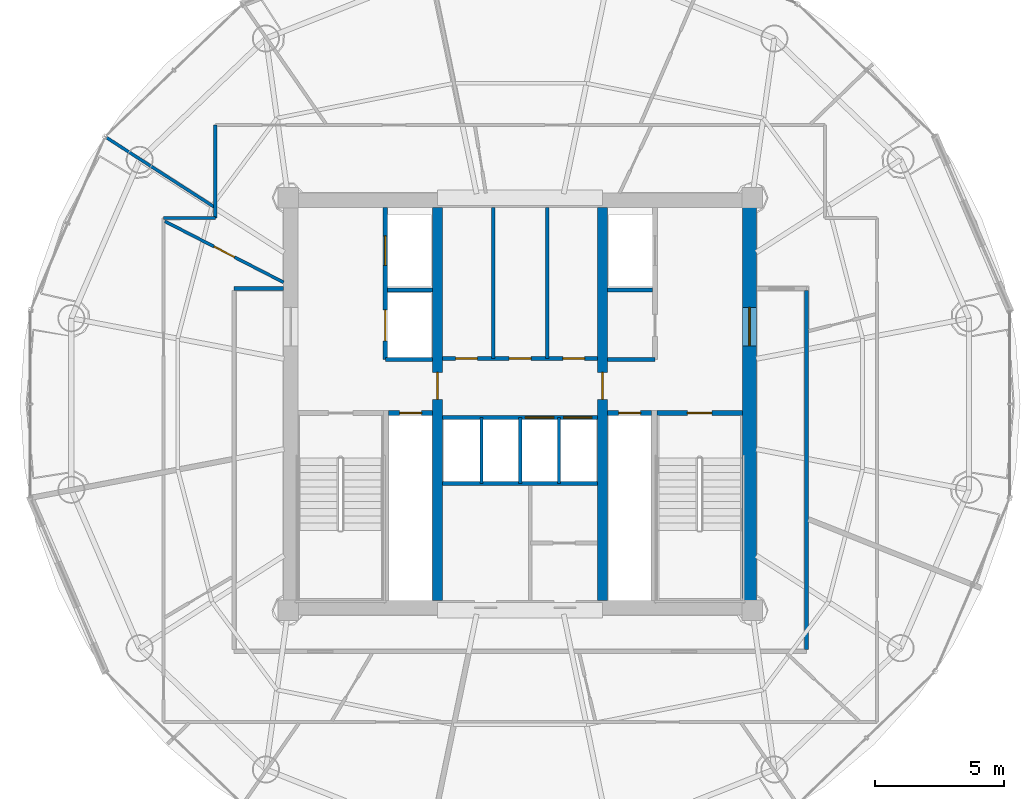
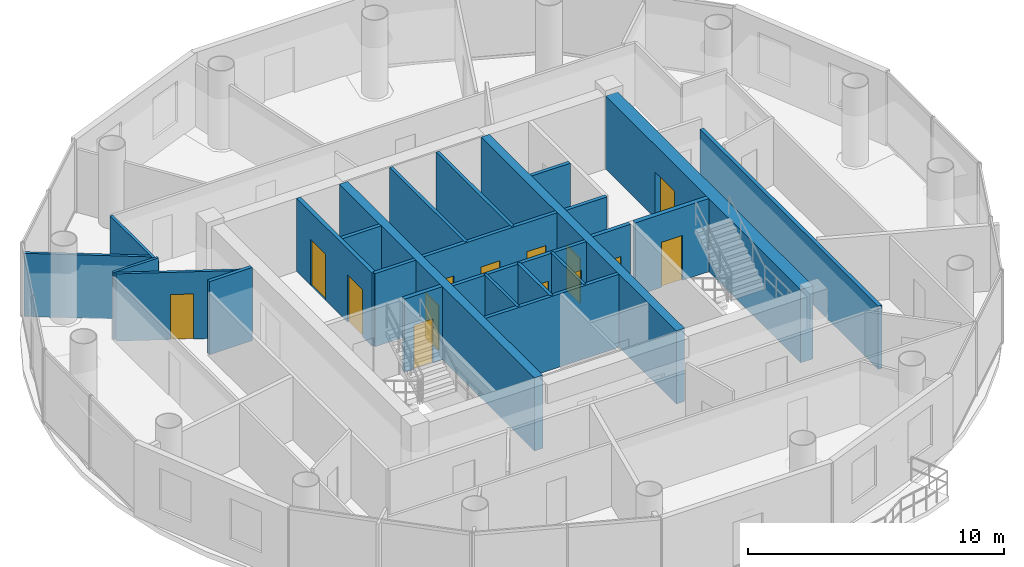
# One storey, part 18 of 23: 25 walls, 14 doors, 14 openings.
"""IFC4 building model written with IfcOpenShell, lengths in metres."""

from ifc_helpers import new_model, si_unit, direction, frame, frame_2d, origin, place, context, subcontext, project, spatial, rectangle, extrude, source, transform, mapped, material, layer, layer_set, type_object, element, fill, save


model = new_model("IFC4")

# Units and contexts
model_context = context("Model", 3, precision=1e-05, world=origin(), true_north=direction((-0.2419218956, 0.970295726276)))
body_context = subcontext(model_context, "Body", "Model", "MODEL_VIEW")
ifc_project = project(units=[si_unit("LENGTHUNIT", "METRE"), si_unit("AREAUNIT", "SQUARE_METRE"), si_unit("VOLUMEUNIT", "CUBIC_METRE"), si_unit("PLANEANGLEUNIT", "RADIAN"), si_unit("MASSUNIT", "GRAM", prefix="KILO")], contexts=[model_context])

# Site, building, storey
site_placement = place(None, origin())
site = spatial("IfcSite", under=ifc_project, at=site_placement, CompositionType="ELEMENT")
building_placement = place(site_placement, origin())
building = spatial("IfcBuilding", under=site, at=building_placement, Name="Cobrevalo Terracotta Tower", CompositionType="ELEMENT")
storey_placement = place(building_placement, frame((0.0, 0.0, 248.199951171875)))
storey = spatial("IfcBuildingStorey", under=building, at=storey_placement, Name="L65", CompositionType="ELEMENT", Elevation=248.199951171875)

# Wall, opening, door
ifc_material_1 = material(Name="Concrete C50", Category="concrete")
ifc_layer_1 = layer(ifc_material_1, 0.550048828125)
ifc_layer_set_1 = layer_set([ifc_layer_1], Name="Concrete C50")
wall_type_1 = type_object("IfcWallType", Name="Core shear wall 550 mm Concrete C50", PredefinedType="SHEAR", material=ifc_layer_set_1)
wall_1_placement = place(storey_placement, frame((46.89990234375, 19.175048828125, 0.0), z_axis=(0.0, 0.0, 1.0), x_axis=(0.0, 1.0, 0.0)))
wall_1 = element("IfcWall", 1, at=wall_1_placement, inside=storey, type_object=wall_type_1, Name="L65 east core shear wall", PredefinedType="SHEAR", context=body_context, shape_type="SweptSolid", body=[
    extrude(rectangle(XDim=15.25, YDim=0.550048828125, at=frame_2d((7.625, 0.0))), origin(), (0.0, 0.0, 1.0), 3.489990234375),
])
opening_1_placement = place(wall_1_placement, frame((9.875, 0.0, 0.0)))
opening_1 = element("IfcOpeningElement", 2, at=opening_1_placement, cuts=wall_1, Name="Opening ID-14", PredefinedType="OPENING", context=body_context, shape_type="SweptSolid", body=[
    extrude(rectangle(XDim=1.5, YDim=2.199951171875, at=frame_2d((0.75, 1.10009765625))), frame((0.0, 0.28515625, 0.0), z_axis=(0.0, -1.0, 0.0), x_axis=(1.0, 0.0, 0.0)), (0.0, 0.0, 1.0), 0.570068359375),
])
ifc_material_2 = material(Name="Galvanized fire-rated steel", Category="steel")
door_type_1 = type_object("IfcDoorType", Name="Core cross-lobby double fire door 1500x2200 EI 90", OperationType="NOTDEFINED", PredefinedType="DOOR", material=ifc_material_2)
shared_shape_1 = source(origin(), body_context, "Body", "SweptSolid", [
    extrude(rectangle(XDim=1.5, YDim=2.199951171875, at=frame_2d((0.75, 1.10009765625))), frame((0.0, 0.02490234375, 0.0), z_axis=(0.0, -1.0, 0.0), x_axis=(1.0, 0.0, 0.0)), (0.0, 0.0, 1.0), 0.050048828125),
])
door_1_placement = place(opening_1_placement, frame((1.5, 0.0, 0.0), z_axis=(0.0, 0.0, 1.0), x_axis=(-1.0, 0.0, 0.0)))
door_1 = element("IfcDoor", 3, at=door_1_placement, inside=storey, type_object=door_type_1, Name="L65 east firefighting lobby entrance door", OperationType="DOUBLE_DOOR_SINGLE_SWING", OverallHeight=2.199951171875, OverallWidth=1.5, PredefinedType="DOOR", context=body_context, shape_type="MappedRepresentation", body=[
    mapped(shared_shape_1, transform((0.0, 0.0, 0.0), scale=1.0)),
])
fill(opening_1, door_1)

# Walls
ifc_material_3 = material(Name="Gypsum board on steel stud", Category="steel")
ifc_layer_2 = layer(ifc_material_3, 0.159912109375)
ifc_layer_set_2 = layer_set([ifc_layer_2], Name="Gypsum board on steel stud")
wall_type_2 = type_object("IfcWallType", Name="Fire-rated corridor acoustic partition wall 160 mm", PredefinedType="PARTITIONING", material=ifc_layer_set_2)
wall_2_placement = place(storey_placement, frame((32.860107421875, 31.219970703125, 0.0), z_axis=(0.0, 0.0, 1.0), x_axis=(1.0, 0.0, 0.0)))
element("IfcWall", 4, at=wall_2_placement, inside=storey, type_object=wall_type_2, Name="L65 interior partition IW-L65-FF1-M", PredefinedType="PARTITIONING", context=body_context, shape_type="SweptSolid", body=[
    extrude(rectangle(XDim=1.75, YDim=0.159912109375, at=frame_2d((0.875, 0.0))), origin(), (0.0, 0.0, 1.0), 3.489990234375),
])
wall_3_placement = place(storey_placement, frame((32.77001953125, 28.52001953125, 0.0), z_axis=(0.0, 0.0, 1.0), x_axis=(1.0, 0.0, 0.0)))
element("IfcWall", 5, at=wall_3_placement, inside=storey, type_object=wall_type_2, Name="L65 interior partition IW-L65-FF1-S", PredefinedType="PARTITIONING", context=body_context, shape_type="SweptSolid", body=[
    extrude(rectangle(XDim=1.840087890625, YDim=0.159912109375, at=frame_2d((0.919921875, 0.0))), origin(), (0.0, 0.0, 1.0), 3.489990234375),
])
wall_4_placement = place(storey_placement, frame((41.389892578125, 31.219970703125, 0.0), z_axis=(0.0, 0.0, 1.0), x_axis=(1.0, 0.0, 0.0)))
element("IfcWall", 6, at=wall_4_placement, inside=storey, type_object=wall_type_2, Name="L65 interior partition IW-L65-FF2-M", PredefinedType="PARTITIONING", context=body_context, shape_type="SweptSolid", body=[
    extrude(rectangle(XDim=1.75, YDim=0.159912109375, at=frame_2d((0.875, 0.0))), origin(), (0.0, 0.0, 1.0), 3.489990234375),
])
wall_5_placement = place(storey_placement, frame((41.389892578125, 28.52001953125, 0.0), z_axis=(0.0, 0.0, 1.0), x_axis=(1.0, 0.0, 0.0)))
element("IfcWall", 7, at=wall_5_placement, inside=storey, type_object=wall_type_2, Name="L65 interior partition IW-L65-FF2-S", PredefinedType="PARTITIONING", context=body_context, shape_type="SweptSolid", body=[
    extrude(rectangle(XDim=1.840087890625, YDim=0.159912109375, at=frame_2d((0.919921875, 0.0))), origin(), (0.0, 0.0, 1.0), 3.489990234375),
])

# Wall, openings, doors
wall_6_placement = place(storey_placement, frame((34.989990234375, 28.56005859375, 0.0), z_axis=(0.0, 0.0, 1.0), x_axis=(1.0, 0.0, 0.0)))
wall_6 = element("IfcWall", 8, at=wall_6_placement, inside=storey, type_object=wall_type_2, Name="L65 interior partition IW-L65-LB-S", PredefinedType="PARTITIONING", context=body_context, shape_type="SweptSolid", body=[
    extrude(rectangle(XDim=6.02001953125, YDim=0.159912109375, at=frame_2d((3.010009765625, 0.0))), origin(), (0.0, 0.0, 1.0), 3.489990234375),
])
opening_2_placement = place(wall_6_placement, frame((0.5048828125, 0.0, 0.0)))
opening_2 = element("IfcOpeningElement", 9, at=opening_2_placement, cuts=wall_6, Name="Opening ID-22", PredefinedType="OPENING", context=body_context, shape_type="SweptSolid", body=[
    extrude(rectangle(XDim=0.85009765625, YDim=2.10009765625, at=frame_2d((0.425048828125, 1.050048828125))), frame((0.0, 0.08984375, 0.0), z_axis=(0.0, -1.0, 0.0), x_axis=(1.0, 0.0, 0.0)), (0.0, 0.0, 1.0), 0.179931640625),
])
opening_3_placement = place(wall_6_placement, frame((2.580078125, 0.0, 0.0)))
opening_3 = element("IfcOpeningElement", 10, at=opening_3_placement, cuts=wall_6, Name="Opening ID-07", PredefinedType="OPENING", context=body_context, shape_type="SweptSolid", body=[
    extrude(rectangle(XDim=0.860107421875, YDim=2.10009765625, at=frame_2d((0.43017578125, 1.050048828125))), frame((0.0, 0.08984375, 0.0), z_axis=(0.0, -1.0, 0.0), x_axis=(1.0, 0.0, 0.0)), (0.0, 0.0, 1.0), 0.179931640625),
])
opening_4_placement = place(wall_6_placement, frame((4.6650390625, 0.0, 0.0)))
opening_4 = element("IfcOpeningElement", 11, at=opening_4_placement, cuts=wall_6, Name="Opening ID-22", PredefinedType="OPENING", context=body_context, shape_type="SweptSolid", body=[
    extrude(rectangle(XDim=0.85009765625, YDim=2.10009765625, at=frame_2d((0.425048828125, 1.050048828125))), frame((0.0, 0.08984375, 0.0), z_axis=(0.0, -1.0, 0.0), x_axis=(1.0, 0.0, 0.0)), (0.0, 0.0, 1.0), 0.179931640625),
])
ifc_material_4 = material(Name="Powder-coated steel", Category="steel")
door_type_2 = type_object("IfcDoorType", Name="Riser shaft & meter closet fire access door 850x2100 EI 60", OperationType="NOTDEFINED", PredefinedType="DOOR", material=ifc_material_4)
shared_shape_2 = source(origin(), body_context, "Body", "SweptSolid", [
    extrude(rectangle(XDim=0.85009765625, YDim=2.10009765625, at=frame_2d((0.425048828125, 1.050048828125))), frame((0.0, 0.02490234375, 0.0), z_axis=(0.0, -1.0, 0.0), x_axis=(1.0, 0.0, 0.0)), (0.0, 0.0, 1.0), 0.050048828125),
])
door_2_placement = place(opening_2_placement, origin())
door_2 = element("IfcDoor", 12, at=door_2_placement, inside=storey, type_object=door_type_2, Name="L65 core service door Housekeeping Linen Store", OperationType="SINGLE_SWING_LEFT", OverallHeight=2.10009765625, OverallWidth=0.85009765625, PredefinedType="DOOR", context=body_context, shape_type="MappedRepresentation", body=[
    mapped(shared_shape_2, transform((0.0, 0.0, 0.0), scale=1.0)),
])
fill(opening_2, door_2)
door_3_placement = place(opening_4_placement, origin())
door_3 = element("IfcDoor", 13, at=door_3_placement, inside=storey, type_object=door_type_2, Name="L65 core service door Floor BMS Mechanical Plant", OperationType="SINGLE_SWING_LEFT", OverallHeight=2.10009765625, OverallWidth=0.85009765625, PredefinedType="DOOR", context=body_context, shape_type="MappedRepresentation", body=[
    mapped(shared_shape_2, transform((0.0, 0.0, 0.0), scale=1.0)),
])
fill(opening_4, door_3)
ifc_material_5 = material(Name="Fire-rated moisture-sealed timber", Category="wood")
door_type_3 = type_object("IfcDoorType", Name="Core & podium fire-rated accessible WC door 860x2100 EI 60", OperationType="NOTDEFINED", PredefinedType="DOOR", material=ifc_material_5)
shared_shape_3 = source(origin(), body_context, "Body", "SweptSolid", [
    extrude(rectangle(XDim=0.860107421875, YDim=2.10009765625, at=frame_2d((0.43017578125, 1.050048828125))), frame((0.0, 0.02490234375, 0.0), z_axis=(0.0, -1.0, 0.0), x_axis=(1.0, 0.0, 0.0)), (0.0, 0.0, 1.0), 0.050048828125),
])
door_4_placement = place(opening_3_placement, origin())
door_4 = element("IfcDoor", 14, at=door_4_placement, inside=storey, type_object=door_type_3, Name="L65 core service door Floor Service Toilet WC", OperationType="SINGLE_SWING_RIGHT", OverallHeight=2.10009765625, OverallWidth=0.860107421875, PredefinedType="DOOR", context=body_context, shape_type="MappedRepresentation", body=[
    mapped(shared_shape_3, transform((0.0, 0.0, 0.0), scale=1.0)),
])
fill(opening_3, door_4)

wall_7_placement = place(storey_placement, frame((34.989990234375, 26.280029296875, 0.0), z_axis=(0.0, 0.0, 1.0), x_axis=(1.0, 0.0, 0.0)))
wall_7 = element("IfcWall", 15, at=wall_7_placement, inside=storey, type_object=wall_type_2, Name="L65 interior partition IW-L65-MB-N", PredefinedType="PARTITIONING", context=body_context, shape_type="SweptSolid", body=[
    extrude(rectangle(XDim=6.02001953125, YDim=0.159912109375, at=frame_2d((3.010009765625, 0.0))), origin(), (0.0, 0.0, 1.0), 3.489990234375),
])
opening_5_placement = place(wall_7_placement, frame((3.215087890625, 0.0, 0.0)))
opening_5 = element("IfcOpeningElement", 16, at=opening_5_placement, cuts=wall_7, Name="Opening LD-01", PredefinedType="OPENING", context=body_context, shape_type="SweptSolid", body=[
    extrude(rectangle(XDim=1.10009765625, YDim=2.199951171875, at=frame_2d((0.550048828125, 1.10009765625))), frame((0.0, 0.08984375, 0.0), z_axis=(0.0, -1.0, 0.0), x_axis=(1.0, 0.0, 0.0)), (0.0, 0.0, 1.0), 0.179931640625),
])
opening_6_placement = place(wall_7_placement, frame((4.695068359375, 0.0, 0.0)))
opening_6 = element("IfcOpeningElement", 17, at=opening_6_placement, cuts=wall_7, Name="Opening LD-01", PredefinedType="OPENING", context=body_context, shape_type="SweptSolid", body=[
    extrude(rectangle(XDim=1.10009765625, YDim=2.199951171875, at=frame_2d((0.550048828125, 1.10009765625))), frame((0.0, 0.08984375, 0.0), z_axis=(0.0, -1.0, 0.0), x_axis=(1.0, 0.0, 0.0)), (0.0, 0.0, 1.0), 0.179931640625),
])
ifc_material_6 = material(Name="Brushed stainless steel", Category="steel")
door_type_4 = type_object("IfcDoorType", Name="Passenger lift landing bi-parting sliding door 1100x2200 EI 90", OperationType="DOUBLE_DOOR_SLIDING", PredefinedType="DOOR", material=ifc_material_6)
shared_shape_4 = source(origin(), body_context, "Body", "SweptSolid", [
    extrude(rectangle(XDim=1.10009765625, YDim=2.199951171875, at=frame_2d((0.550048828125, 1.10009765625))), frame((0.0, 0.02490234375, 0.0), z_axis=(0.0, -1.0, 0.0), x_axis=(1.0, 0.0, 0.0)), (0.0, 0.0, 1.0), 0.050048828125),
])
door_5_placement = place(opening_5_placement, origin())
door_5 = element("IfcDoor", 18, at=door_5_placement, inside=storey, type_object=door_type_4, Name="L65 lift landing door PL-H1", OperationType="DOUBLE_DOOR_SLIDING", OverallHeight=2.199951171875, OverallWidth=1.10009765625, PredefinedType="DOOR", context=body_context, shape_type="MappedRepresentation", body=[
    mapped(shared_shape_4, transform((0.0, 0.0, 0.0), scale=1.0)),
])
fill(opening_5, door_5)
door_6_placement = place(opening_6_placement, origin())
door_6 = element("IfcDoor", 19, at=door_6_placement, inside=storey, type_object=door_type_4, Name="L65 lift landing door PL-H2", OperationType="DOUBLE_DOOR_SLIDING", OverallHeight=2.199951171875, OverallWidth=1.10009765625, PredefinedType="DOOR", context=body_context, shape_type="MappedRepresentation", body=[
    mapped(shared_shape_4, transform((0.0, 0.0, 0.0), scale=1.0)),
])
fill(opening_6, door_6)

# Walls
wall_8_placement = place(storey_placement, frame((34.989990234375, 23.719970703125, 0.0), z_axis=(0.0, 0.0, 1.0), x_axis=(1.0, 0.0, 0.0)))
element("IfcWall", 20, at=wall_8_placement, inside=storey, type_object=wall_type_2, Name="L65 interior partition IW-L65-MB-S", PredefinedType="PARTITIONING", context=body_context, shape_type="SweptSolid", body=[
    extrude(rectangle(XDim=6.02001953125, YDim=0.159912109375, at=frame_2d((3.010009765625, 0.0))), origin(), (0.0, 0.0, 1.0), 3.489990234375),
])
wall_9_placement = place(storey_placement, frame((26.89501953125, 31.280029296875, 0.0), z_axis=(0.0, 0.0, 1.0), x_axis=(1.0, 0.0, 0.0)))
element("IfcWall", 21, at=wall_9_placement, inside=storey, type_object=wall_type_2, Name="L65 interior partition IW-L65-COR-WN-CAP", PredefinedType="PARTITIONING", context=body_context, shape_type="SweptSolid", body=[
    extrude(rectangle(XDim=1.929931640625, YDim=0.159912109375, at=frame_2d((0.96484375, 0.0))), origin(), (0.0, 0.0, 1.0), 3.489990234375),
])
wall_10_placement = place(storey_placement, frame((49.10498046875, 17.27490234375, 0.0), z_axis=(0.0, 0.0, 1.0), x_axis=(0.0, 1.0, 0.0)))
element("IfcWall", 22, at=wall_10_placement, inside=storey, type_object=wall_type_2, Name="L65 interior partition IW-L65-COR-E", PredefinedType="PARTITIONING", context=body_context, shape_type="SweptSolid", body=[
    extrude(rectangle(XDim=13.925048828125, YDim=0.159912109375, at=frame_2d((6.96240234375, 0.0))), origin(), (0.0, 0.0, 1.0), 3.01513671875),
])

# Wall, opening, door
ifc_layer_3 = layer(ifc_material_3, 0.179931640625)
ifc_layer_set_3 = layer_set([ifc_layer_3], Name="Gypsum board on steel stud")
wall_type_3 = type_object("IfcWallType", Name="Fire-rated shaft & lobby acoustic partition wall 180 mm", PredefinedType="PARTITIONING", material=ifc_layer_set_3)
wall_11_placement = place(storey_placement, frame((32.89990234375, 26.449951171875, 0.0), z_axis=(0.0, 0.0, 1.0), x_axis=(1.0, 0.0, 0.0)))
wall_11 = element("IfcWall", 23, at=wall_11_placement, inside=storey, type_object=wall_type_3, Name="L65 interior partition IW-L65-RSW-N", PredefinedType="PARTITIONING", context=body_context, shape_type="SweptSolid", body=[
    extrude(rectangle(XDim=1.710205078125, YDim=0.179931640625, at=frame_2d((0.85498046875, 0.0))), origin(), (0.0, 0.0, 1.0), 3.489990234375),
])
opening_7_placement = place(wall_11_placement, frame((0.429931640625, 0.0, 0.0)))
opening_7 = element("IfcOpeningElement", 24, at=opening_7_placement, cuts=wall_11, Name="Opening ID-22", PredefinedType="OPENING", context=body_context, shape_type="SweptSolid", body=[
    extrude(rectangle(XDim=0.85009765625, YDim=2.10009765625, at=frame_2d((0.425048828125, 1.050048828125))), frame((0.0, 0.10009765625, 0.0), z_axis=(0.0, -1.0, 0.0), x_axis=(1.0, 0.0, 0.0)), (0.0, 0.0, 1.0), 0.199951171875),
])
door_7_placement = place(opening_7_placement, origin())
door_7 = element("IfcDoor", 25, at=door_7_placement, inside=storey, type_object=door_type_2, Name="L65 riser access door RSW", OperationType="SINGLE_SWING_LEFT", OverallHeight=2.10009765625, OverallWidth=0.85009765625, PredefinedType="DOOR", context=body_context, shape_type="MappedRepresentation", body=[
    mapped(shared_shape_2, transform((0.0, 0.0, 0.0), scale=1.0)),
])
fill(opening_7, door_7)

wall_12_placement = place(storey_placement, frame((41.389892578125, 26.449951171875, 0.0), z_axis=(0.0, 0.0, 1.0), x_axis=(1.0, 0.0, 0.0)))
wall_12 = element("IfcWall", 26, at=wall_12_placement, inside=storey, type_object=wall_type_3, Name="L65 interior partition IW-L65-RSE-N", PredefinedType="PARTITIONING", context=body_context, shape_type="SweptSolid", body=[
    extrude(rectangle(XDim=1.710205078125, YDim=0.179931640625, at=frame_2d((0.85498046875, 0.0))), origin(), (0.0, 0.0, 1.0), 3.489990234375),
])
opening_8_placement = place(wall_12_placement, frame((0.429931640625, 0.0, 0.0)))
opening_8 = element("IfcOpeningElement", 27, at=opening_8_placement, cuts=wall_12, Name="Opening ID-22", PredefinedType="OPENING", context=body_context, shape_type="SweptSolid", body=[
    extrude(rectangle(XDim=0.85009765625, YDim=2.10009765625, at=frame_2d((0.425048828125, 1.050048828125))), frame((0.0, 0.10009765625, 0.0), z_axis=(0.0, -1.0, 0.0), x_axis=(1.0, 0.0, 0.0)), (0.0, 0.0, 1.0), 0.199951171875),
])
door_8_placement = place(opening_8_placement, origin())
door_8 = element("IfcDoor", 28, at=door_8_placement, inside=storey, type_object=door_type_2, Name="L65 riser access door RSE", OperationType="SINGLE_SWING_RIGHT", OverallHeight=2.10009765625, OverallWidth=0.85009765625, PredefinedType="DOOR", context=body_context, shape_type="MappedRepresentation", body=[
    mapped(shared_shape_2, transform((0.0, 0.0, 0.0), scale=1.0)),
])
fill(opening_8, door_8)

# Wall, openings, doors
wall_13_placement = place(storey_placement, frame((32.77001953125, 28.52001953125, 0.0), z_axis=(0.0, 0.0, 1.0), x_axis=(0.0, 1.0, 0.0)))
wall_13 = element("IfcWall", 29, at=wall_13_placement, inside=storey, type_object=wall_type_3, Name="L65 interior partition IW-L65-FF1-W", PredefinedType="PARTITIONING", context=body_context, shape_type="SweptSolid", body=[
    extrude(rectangle(XDim=5.905029296875, YDim=0.179931640625, at=frame_2d((2.95263671875, 0.0))), origin(), (0.0, 0.0, 1.0), 3.489990234375),
])
opening_9_placement = place(wall_13_placement, frame((3.655029296875, 0.0, 0.0)))
opening_9 = element("IfcOpeningElement", 30, at=opening_9_placement, cuts=wall_13, Name="Opening LD-02", PredefinedType="OPENING", context=body_context, shape_type="SweptSolid", body=[
    extrude(rectangle(XDim=1.14990234375, YDim=2.199951171875, at=frame_2d((0.574951171875, 1.10009765625))), frame((0.0, 0.10009765625, 0.0), z_axis=(0.0, -1.0, 0.0), x_axis=(1.0, 0.0, 0.0)), (0.0, 0.0, 1.0), 0.199951171875),
])
opening_10_placement = place(wall_13_placement, frame((0.72998046875, 0.0, 0.0)))
opening_10 = element("IfcOpeningElement", 31, at=opening_10_placement, cuts=wall_13, Name="Opening LD-03", PredefinedType="OPENING", context=body_context, shape_type="SweptSolid", body=[
    extrude(rectangle(XDim=1.199951171875, YDim=2.25, at=frame_2d((0.60009765625, 1.125))), frame((0.0, 0.10009765625, 0.0), z_axis=(0.0, -1.0, 0.0), x_axis=(1.0, 0.0, 0.0)), (0.0, 0.0, 1.0), 0.199951171875),
])
door_type_5 = type_object("IfcDoorType", Name="Firefighting lift landing bi-parting sliding door 1150x2200 EI 120", OperationType="DOUBLE_DOOR_SLIDING", PredefinedType="DOOR", material=ifc_material_6)
shared_shape_5 = source(origin(), body_context, "Body", "SweptSolid", [
    extrude(rectangle(XDim=1.14990234375, YDim=2.199951171875, at=frame_2d((0.574951171875, 1.10009765625))), frame((0.0, 0.02490234375, 0.0), z_axis=(0.0, -1.0, 0.0), x_axis=(1.0, 0.0, 0.0)), (0.0, 0.0, 1.0), 0.050048828125),
])
door_9_placement = place(opening_9_placement, origin())
door_9 = element("IfcDoor", 32, at=door_9_placement, inside=storey, type_object=door_type_5, Name="L65 lift landing door FF-1", OperationType="DOUBLE_DOOR_SLIDING", OverallHeight=2.199951171875, OverallWidth=1.14990234375, PredefinedType="DOOR", context=body_context, shape_type="MappedRepresentation", body=[
    mapped(shared_shape_5, transform((0.0, 0.0, 0.0), scale=1.0)),
])
fill(opening_9, door_9)
door_type_6 = type_object("IfcDoorType", Name="Service lift landing bi-parting sliding door 1200x2250 EI 120", OperationType="DOUBLE_DOOR_SLIDING", PredefinedType="DOOR", material=ifc_material_6)
shared_shape_6 = source(origin(), body_context, "Body", "SweptSolid", [
    extrude(rectangle(XDim=1.199951171875, YDim=2.25, at=frame_2d((0.60009765625, 1.125))), frame((0.0, 0.02490234375, 0.0), z_axis=(0.0, -1.0, 0.0), x_axis=(1.0, 0.0, 0.0)), (0.0, 0.0, 1.0), 0.050048828125),
])
door_10_placement = place(opening_10_placement, origin())
door_10 = element("IfcDoor", 33, at=door_10_placement, inside=storey, type_object=door_type_6, Name="L65 lift landing door SV-1", OperationType="DOUBLE_DOOR_SLIDING", OverallHeight=2.25, OverallWidth=1.199951171875, PredefinedType="DOOR", context=body_context, shape_type="MappedRepresentation", body=[
    mapped(shared_shape_6, transform((0.0, 0.0, 0.0), scale=1.0)),
])
fill(opening_10, door_10)

# Walls
ifc_material_7 = material(Name="Autoclaved aerated concrete block", Category="concrete")
ifc_layer_4 = layer(ifc_material_7, 0.1201171875)
ifc_layer_set_4 = layer_set([ifc_layer_4], Name="Autoclaved aerated concrete block")
wall_type_4 = type_object("IfcWallType", Name="Fire-rated wet-room & core service partition 120 mm", PredefinedType="PARTITIONING", material=ifc_layer_set_4)
for number, where, z_axis, x_axis, name in (
    (34, (36.5, 23.719970703125, 0.0), (0.0, 0.0, 1.0), (0.0, 1.0, 0.0), "L65 interior partition IW-L65-MB-D1"),
    (35, (39.5, 23.719970703125, 0.0), (0.0, 0.0, 1.0), (0.0, 1.0, 0.0), "L65 interior partition IW-L65-MB-D3"),
):
    element("IfcWall", number, at=place(storey_placement, frame(where, z_axis=z_axis, x_axis=x_axis)), inside=storey, type_object=wall_type_4, Name=name, PredefinedType="PARTITIONING", context=body_context, shape_type="SweptSolid", body=[
        extrude(rectangle(XDim=2.56005859375, YDim=0.1201171875, at=frame_2d((1.280029296875, 0.0))), origin(), (0.0, 0.0, 1.0), 3.489990234375),
    ])

# Wall, opening, door
ifc_layer_5 = layer(ifc_material_1, 0.3798828125)
ifc_layer_set_5 = layer_set([ifc_layer_5], Name="Concrete C50")
wall_type_5 = type_object("IfcWallType", Name="Internal core shear web wall 380 mm Concrete C50", PredefinedType="SHEAR", material=ifc_layer_set_5)
wall_14_placement = place(storey_placement, frame((34.800048828125, 19.175048828125, 0.0), z_axis=(0.0, 0.0, 1.0), x_axis=(0.0, 1.0, 0.0)))
wall_14 = element("IfcWall", 36, at=wall_14_placement, inside=storey, type_object=wall_type_5, Name="L65 internal core shear wall WEB-W", PredefinedType="SHEAR", context=body_context, shape_type="SweptSolid", body=[
    extrude(rectangle(XDim=15.25, YDim=0.3798828125, at=frame_2d((7.625, 0.0))), origin(), (0.0, 0.0, 1.0), 3.489990234375),
])
opening_11_placement = place(wall_14_placement, frame((7.800048828125, 0.0, 0.0)))
opening_11 = element("IfcOpeningElement", 37, at=opening_11_placement, cuts=wall_14, Name="Opening ID-11", PredefinedType="OPENING", context=body_context, shape_type="SweptSolid", body=[
    extrude(rectangle(XDim=1.050048828125, YDim=2.14990234375, at=frame_2d((0.52490234375, 1.074951171875))), frame((0.0, 0.199951171875, 0.0), z_axis=(0.0, -1.0, 0.0), x_axis=(1.0, 0.0, 0.0)), (0.0, 0.0, 1.0), 0.39990234375),
])
door_type_7 = type_object("IfcDoorType", Name="Core concourse cross fire door 1050x2150 EI 90", OperationType="NOTDEFINED", PredefinedType="DOOR", material=ifc_material_2)
shared_shape_7 = source(origin(), body_context, "Body", "SweptSolid", [
    extrude(rectangle(XDim=1.050048828125, YDim=2.14990234375, at=frame_2d((0.52490234375, 1.074951171875))), frame((0.0, 0.02490234375, 0.0), z_axis=(0.0, -1.0, 0.0), x_axis=(1.0, 0.0, 0.0)), (0.0, 0.0, 1.0), 0.050048828125),
])
door_11_placement = place(opening_11_placement, origin())
door_11 = element("IfcDoor", 38, at=door_11_placement, inside=storey, type_object=door_type_7, Name="L65 west core concourse cross door", OperationType="SINGLE_SWING_LEFT", OverallHeight=2.14990234375, OverallWidth=1.050048828125, PredefinedType="DOOR", context=body_context, shape_type="MappedRepresentation", body=[
    mapped(shared_shape_7, transform((0.0, 0.0, 0.0), scale=1.0)),
])
fill(opening_11, door_11)

wall_15_placement = place(storey_placement, frame((41.199951171875, 19.175048828125, 0.0), z_axis=(0.0, 0.0, 1.0), x_axis=(0.0, 1.0, 0.0)))
wall_15 = element("IfcWall", 39, at=wall_15_placement, inside=storey, type_object=wall_type_5, Name="L65 internal core shear wall WEB-E", PredefinedType="SHEAR", context=body_context, shape_type="SweptSolid", body=[
    extrude(rectangle(XDim=15.25, YDim=0.3798828125, at=frame_2d((7.625, 0.0))), origin(), (0.0, 0.0, 1.0), 3.489990234375),
])
opening_12_placement = place(wall_15_placement, frame((7.800048828125, 0.0, 0.0)))
opening_12 = element("IfcOpeningElement", 40, at=opening_12_placement, cuts=wall_15, Name="Opening ID-11", PredefinedType="OPENING", context=body_context, shape_type="SweptSolid", body=[
    extrude(rectangle(XDim=1.050048828125, YDim=2.14990234375, at=frame_2d((0.52490234375, 1.074951171875))), frame((0.0, 0.199951171875, 0.0), z_axis=(0.0, -1.0, 0.0), x_axis=(1.0, 0.0, 0.0)), (0.0, 0.0, 1.0), 0.39990234375),
])
door_12_placement = place(opening_12_placement, frame((1.050048828125, 0.0, 0.0), z_axis=(0.0, 0.0, 1.0), x_axis=(-1.0, 0.0, 0.0)))
door_12 = element("IfcDoor", 41, at=door_12_placement, inside=storey, type_object=door_type_7, Name="L65 east core concourse cross door", OperationType="SINGLE_SWING_RIGHT", OverallHeight=2.14990234375, OverallWidth=1.050048828125, PredefinedType="DOOR", context=body_context, shape_type="MappedRepresentation", body=[
    mapped(shared_shape_7, transform((0.0, 0.0, 0.0), scale=1.0)),
])
fill(opening_12, door_12)

# Walls
ifc_layer_6 = layer(ifc_material_7, 0.139892578125)
ifc_layer_set_6 = layer_set([ifc_layer_6], Name="Autoclaved aerated concrete block")
wall_type_6 = type_object("IfcWallType", Name="Moisture-resistant wet-room & core service partition 140 mm", PredefinedType="PARTITIONING", material=ifc_layer_set_6)
for number, where, z_axis, x_axis, name in (
    (42, (36.949951171875, 28.56005859375, 0.0), (0.0, 0.0, 1.0), (0.0, 1.0, 0.0), "L65 interior partition IW-L65-KVN-A"),
    (43, (39.050048828125, 28.56005859375, 0.0), (0.0, 0.0, 1.0), (0.0, 1.0, 0.0), "L65 interior partition IW-L65-KVN-B"),
):
    element("IfcWall", number, at=place(storey_placement, frame(where, z_axis=z_axis, x_axis=x_axis)), inside=storey, type_object=wall_type_6, Name=name, PredefinedType="PARTITIONING", context=body_context, shape_type="SweptSolid", body=[
        extrude(rectangle(XDim=5.864990234375, YDim=0.139892578125, at=frame_2d((2.9326171875, 0.0))), origin(), (0.0, 0.0, 1.0), 3.489990234375),
    ])
wall_16_placement = place(storey_placement, frame((38.0, 23.719970703125, 0.0), z_axis=(0.0, 0.0, 1.0), x_axis=(0.0, 1.0, 0.0)))
element("IfcWall", 44, at=wall_16_placement, inside=storey, type_object=wall_type_6, Name="L65 interior partition IW-L65-MB-D2", PredefinedType="PARTITIONING", context=body_context, shape_type="SweptSolid", body=[
    extrude(rectangle(XDim=2.56005859375, YDim=0.139892578125, at=frame_2d((1.280029296875, 0.0))), origin(), (0.0, 0.0, 1.0), 3.489990234375),
])
ifc_layer_7 = layer(ifc_material_3, 0.1201171875)
ifc_layer_set_7 = layer_set([ifc_layer_7], Name="Gypsum board on steel stud")
wall_type_7 = type_object("IfcWallType", Name="Residential internal acoustic stud partition 120 mm", PredefinedType="PARTITIONING", material=ifc_layer_set_7)
wall_17_placement = place(storey_placement, frame((24.1650390625, 34.010009765625, 0.0), z_axis=(0.0, 0.0, 1.0), x_axis=(1.0, 0.0, 0.0)))
element("IfcWall", 45, at=wall_17_placement, inside=storey, type_object=wall_type_7, Name="L65 interior partition IW-L65-U1-RING1_0", PredefinedType="PARTITIONING", context=body_context, shape_type="SweptSolid", body=[
    extrude(rectangle(XDim=2.010009765625, YDim=0.1201171875, at=frame_2d((1.0048828125, 0.0))), origin(), (0.0, 0.0, 1.0), 3.208984375),
])
wall_18_placement = place(storey_placement, frame((26.175048828125, 34.010009765625, 0.0), z_axis=(0.0, 0.0, 1.0), x_axis=(0.0, 1.0, 0.0)))
element("IfcWall", 46, at=wall_18_placement, inside=storey, type_object=wall_type_7, Name="L65 interior partition IW-L65-U1-RING2_0", PredefinedType="PARTITIONING", context=body_context, shape_type="SweptSolid", body=[
    extrude(rectangle(XDim=3.614990234375, YDim=0.1201171875, at=frame_2d((1.8076171875, 0.0))), origin(), (0.0, 0.0, 1.0), 3.01513671875),
])
wall_19_placement = place(storey_placement, frame((26.122802734375, 34.44970703125, 0.0), z_axis=(0.0, 0.0, 1.0), x_axis=(-0.840703033126, 0.541496454367, 0.0)))
element("IfcWall", 47, at=wall_19_placement, inside=storey, type_object=wall_type_7, Name="L65 interior partition IW-L65-U1-ORAD3", PredefinedType="PARTITIONING", context=body_context, shape_type="SweptSolid", body=[
    extrude(rectangle(XDim=4.95849609375, YDim=0.1201171875, at=frame_2d((2.479248046875, 0.0))), origin(), (0.0, 0.0, 1.0), 3.01513671875),
])

# Wall, opening, door
wall_20_placement = place(storey_placement, frame((28.824951171875, 31.518310546875, 0.0), z_axis=(0.0, 0.0, 1.0), x_axis=(-0.889305882583, 0.457312854842, 0.0)))
wall_20 = element("IfcWall", 48, at=wall_20_placement, inside=storey, type_object=wall_type_7, Name="L65 interior partition IW-L65-U1-IRAD4", PredefinedType="PARTITIONING", context=body_context, shape_type="SweptSolid", body=[
    extrude(rectangle(XDim=5.177978515625, YDim=0.1201171875, at=frame_2d((2.5888671875, 0.0))), origin(), (0.0, 0.0, 1.0), 3.208984375),
])
opening_13_placement = place(wall_20_placement, frame((2.138916015625, 0.0, 0.0)))
opening_13 = element("IfcOpeningElement", 49, at=opening_13_placement, cuts=wall_20, Name="Opening ID-12", PredefinedType="OPENING", context=body_context, shape_type="SweptSolid", body=[
    extrude(rectangle(XDim=0.89990234375, YDim=2.14990234375, at=frame_2d((0.449951171875, 1.074951171875))), frame((0.0, 0.070068359375, 0.0), z_axis=(0.0, -1.0, 0.0), x_axis=(1.0, 0.0, 0.0)), (0.0, 0.0, 1.0), 0.14013671875),
])
ifc_material_8 = material(Name="Engineered timber", Category="wood")
door_type_8 = type_object("IfcDoorType", Name="Internal residence & suite timber door 900x2150", OperationType="NOTDEFINED", PredefinedType="DOOR", material=ifc_material_8)
shared_shape_8 = source(origin(), body_context, "Body", "SweptSolid", [
    extrude(rectangle(XDim=0.89990234375, YDim=2.14990234375, at=frame_2d((0.449951171875, 1.074951171875))), frame((0.0, 0.02490234375, 0.0), z_axis=(0.0, -1.0, 0.0), x_axis=(1.0, 0.0, 0.0)), (0.0, 0.0, 1.0), 0.050048828125),
])
door_13_placement = place(opening_13_placement, origin())
door_13 = element("IfcDoor", 50, at=door_13_placement, inside=storey, type_object=door_type_8, Name="Flat L65A Private Cinema Lounge internal door", OperationType="SINGLE_SWING_LEFT", OverallHeight=2.14990234375, OverallWidth=0.89990234375, PredefinedType="DOOR", context=body_context, shape_type="MappedRepresentation", body=[
    mapped(shared_shape_8, transform((0.0, 0.0, 0.0), scale=1.0)),
])
fill(opening_13, door_13)

ifc_layer_8 = layer(ifc_material_1, 0.199951171875)
ifc_layer_set_8 = layer_set([ifc_layer_8], Name="Concrete C50")
wall_type_8 = type_object("IfcWallType", Name="Structural core & podium stair-shaft RC wall 200 mm Concrete C50", PredefinedType="SOLIDWALL", material=ifc_layer_set_8)
wall_21_placement = place(storey_placement, frame((43.304931640625, 26.449951171875, 0.0), z_axis=(0.0, 0.0, 1.0), x_axis=(1.0, 0.0, 0.0)))
wall_21 = element("IfcWall", 51, at=wall_21_placement, inside=storey, type_object=wall_type_8, Name="L65 ST-2 north structural shaft wall", PredefinedType="SOLIDWALL", context=body_context, shape_type="SweptSolid", body=[
    extrude(rectangle(XDim=3.320068359375, YDim=0.199951171875, at=frame_2d((1.66015625, 0.0))), origin(), (0.0, 0.0, 1.0), 3.489990234375),
])
opening_14_placement = place(wall_21_placement, frame((1.18505859375, 0.0, 0.0)))
opening_14 = element("IfcOpeningElement", 52, at=opening_14_placement, cuts=wall_21, Name="Opening ID-04", PredefinedType="OPENING", context=body_context, shape_type="SweptSolid", body=[
    extrude(rectangle(XDim=0.949951171875, YDim=2.14990234375, at=frame_2d((0.47509765625, 1.074951171875))), frame((0.0, 0.10986328125, 0.0), z_axis=(0.0, -1.0, 0.0), x_axis=(1.0, 0.0, 0.0)), (0.0, 0.0, 1.0), 0.219970703125),
])
door_type_9 = type_object("IfcDoorType", Name="Stair & firefighting lobby fire door 950x2150 EI 90", OperationType="NOTDEFINED", PredefinedType="DOOR", material=ifc_material_2)
shared_shape_9 = source(origin(), body_context, "Body", "SweptSolid", [
    extrude(rectangle(XDim=0.949951171875, YDim=2.14990234375, at=frame_2d((0.47509765625, 1.074951171875))), frame((0.0, 0.02490234375, 0.0), z_axis=(0.0, -1.0, 0.0), x_axis=(1.0, 0.0, 0.0)), (0.0, 0.0, 1.0), 0.050048828125),
])
door_14_placement = place(opening_14_placement, frame((0.949951171875, 0.0, 0.0), z_axis=(0.0, 0.0, 1.0), x_axis=(-1.0, 0.0, 0.0)))
door_14 = element("IfcDoor", 53, at=door_14_placement, inside=storey, type_object=door_type_9, Name="L65 protected stair ST2 fire door", OperationType="SINGLE_SWING_RIGHT", OverallHeight=2.14990234375, OverallWidth=0.949951171875, PredefinedType="DOOR", context=body_context, shape_type="MappedRepresentation", body=[
    mapped(shared_shape_9, transform((0.0, 0.0, 0.0), scale=1.0)),
])
fill(opening_14, door_14)

save(model, "model.ifc")
